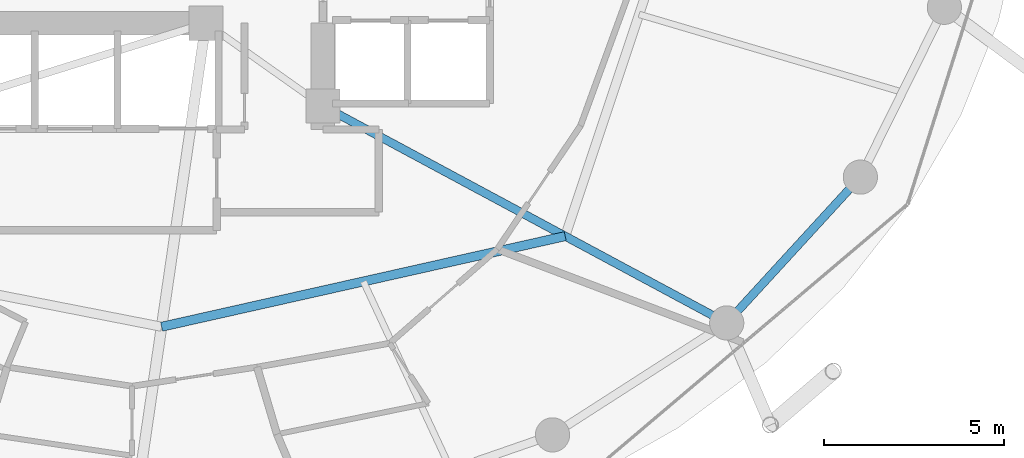
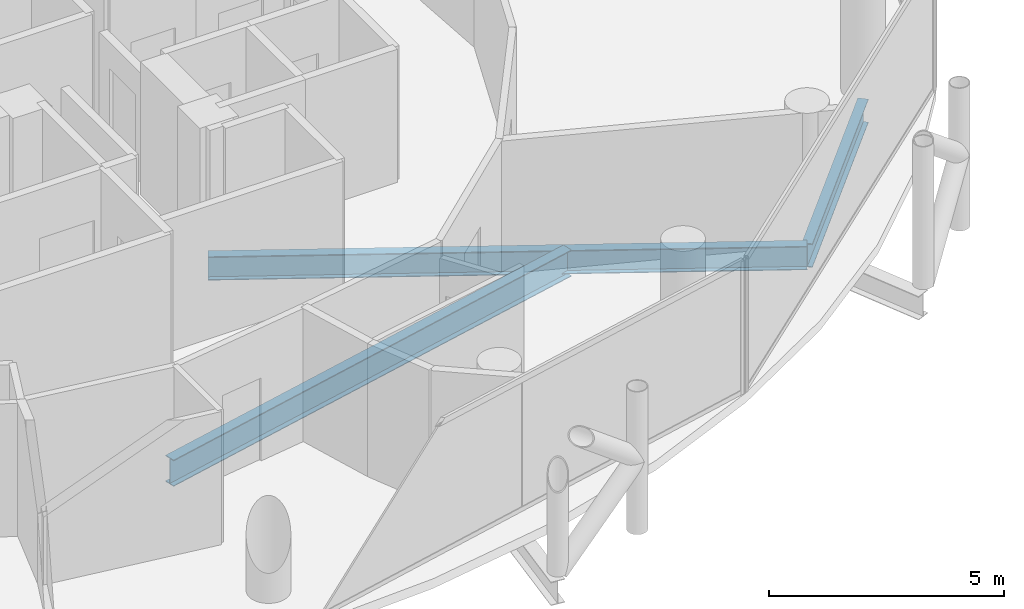
# One storey, part 9 of 26: 3 beams.
"""IFC4 building model written with IfcOpenShell, lengths in metres."""

import ifcopenshell
import ifcopenshell.guid

model = None  # the IFC model being written
_history = None  # IfcOwnerHistory: only IFC2X3 demands one
_inside = {}  # id of a spatial element -> (the spatial element, [elements in it])
_under = {}  # id of a project, library or spatial element -> (it, [spatial elements below it])
_declared = {}  # id of a project -> (the project, [libraries it declares])
_typed = {}  # id of a type object -> (the type object, [elements of that type])
_made_of = {}  # id of a material, layer set ... -> (it, [elements and type objects made of it])


def new_model(schema):
    """Start an empty IFC model of exactly this schema.

    Asked for "IFC4X3", IfcOpenShell would pick the latest addendum, in which some entities
    have other attributes; the version numbers below select the first issue.
    IFC2X3 requires an IfcOwnerHistory on every rooted entity: one is made here for all.
    """
    global model, _history
    if schema == "IFC4X3":
        model = ifcopenshell.file(schema_version=(4, 3, 0, 0))
    else:
        model = ifcopenshell.file(schema=schema)
    _inside.clear()
    _under.clear()
    _declared.clear()
    _typed.clear()
    _made_of.clear()
    _history = None
    if model.schema == "IFC2X3":
        org = make("IfcOrganization", Name="unknown")
        user = make(
            "IfcPersonAndOrganization",
            ThePerson=make("IfcPerson", FamilyName="unknown"),
            TheOrganization=org,
        )
        app = make(
            "IfcApplication",
            ApplicationDeveloper=org,
            Version="unknown",
            ApplicationFullName="unknown",
            ApplicationIdentifier="unknown",
        )
        _history = make(
            "IfcOwnerHistory",
            OwningUser=user,
            OwningApplication=app,
            ChangeAction="ADDED",
            CreationDate=0,
        )
    return model


def make(cls, **values):
    """One entity of the class cls with the attributes given. An attribute that is None is left unset."""
    return model.create_entity(
        cls, **{name: value for name, value in values.items() if value is not None}
    )


def rooted(cls, **values):
    """An entity with a GlobalId (a new one), such as an element, a storey or a relation."""
    return make(cls, GlobalId=ifcopenshell.guid.new(), OwnerHistory=_history, **values)


def si_unit(unit_type, name, prefix=None):
    """IfcSIUnit, for example si_unit("LENGTHUNIT", "METRE", prefix="MILLI")."""
    return make("IfcSIUnit", UnitType=unit_type, Prefix=prefix, Name=name)


def assignment(units):
    """IfcUnitAssignment: the units of a project."""
    return None if units is None else make("IfcUnitAssignment", Units=units)


def point(xyz):
    """IfcCartesianPoint."""
    return None if xyz is None else make("IfcCartesianPoint", Coordinates=xyz)


def direction(xyz):
    """IfcDirection."""
    return None if xyz is None else make("IfcDirection", DirectionRatios=xyz)


def frame(location, z_axis=None, x_axis=None):
    """IfcAxis2Placement3D, a coordinate frame: its origin and axes. An axis left out is left unset."""
    return make(
        "IfcAxis2Placement3D",
        Location=point(location),
        Axis=direction(z_axis),
        RefDirection=direction(x_axis),
    )


def frame_2d(location, x_axis=None):
    """IfcAxis2Placement2D, a coordinate frame in the plane: its origin and x axis."""
    return make(
        "IfcAxis2Placement2D", Location=point(location), RefDirection=direction(x_axis)
    )


def origin():
    """The frame at (0, 0, 0) with its axes left unset."""
    return frame((0.0, 0.0, 0.0))


def origin_2d():
    """The frame at (0, 0) in the plane with its x axis left unset."""
    return frame_2d((0.0, 0.0))


def place(relative_to, where):
    """IfcLocalPlacement: puts the frame where relative to a parent placement (None: the world)."""
    return make(
        "IfcLocalPlacement", PlacementRelTo=relative_to, RelativePlacement=where
    )


def context(
    kind, dimensions, precision=None, world=None, true_north=None, identifier=None
):
    """IfcGeometricRepresentationContext, for example the 3D "Model" context."""
    return make(
        "IfcGeometricRepresentationContext",
        ContextIdentifier=identifier,
        ContextType=kind,
        CoordinateSpaceDimension=dimensions,
        Precision=precision,
        WorldCoordinateSystem=world,
        TrueNorth=true_north,
    )


def subcontext(parent, identifier, kind, view, scale=None):
    """IfcGeometricRepresentationSubContext, for example "Body" below "Model"."""
    return make(
        "IfcGeometricRepresentationSubContext",
        ContextIdentifier=identifier,
        ContextType=kind,
        ParentContext=parent,
        TargetScale=scale,
        TargetView=view,
    )


def project(units=None, contexts=None):
    """IfcProject with its units and contexts."""
    return rooted(
        "IfcProject",
        Name="project",
        RepresentationContexts=contexts,
        UnitsInContext=assignment(units),
    )


def spatial(cls, under=None, at=None, **own):
    """A site, building, storey or space (cls), placed at a placement, below another one or the project."""
    s = rooted(cls, ObjectPlacement=at, **own)
    if under is not None:
        _under.setdefault(under.id(), (under, []))[1].append(s)
    return s


def profile(cls, at=None, kind="AREA", **sizes):
    """A parametric profile (cls). Its sizes go by their IFC names, for example OverallWidth=200.0."""
    return make(cls, ProfileType=kind, Position=at, **sizes)


def i_section(**sizes):
    """IfcIShapeProfileDef."""
    return profile("IfcIShapeProfileDef", **sizes)


def extrude(swept, where, along, depth):
    """IfcExtrudedAreaSolid: the profile swept, set in the frame where, extruded along a direction by depth."""
    return make(
        "IfcExtrudedAreaSolid",
        SweptArea=swept,
        Position=where,
        ExtrudedDirection=direction(along),
        Depth=depth,
    )


def shape(context_of_items, identifier, shape_type, items):
    """IfcShapeRepresentation: the items that make up one representation, for example the "Body"."""
    return make(
        "IfcShapeRepresentation",
        ContextOfItems=context_of_items,
        RepresentationIdentifier=identifier,
        RepresentationType=shape_type,
        Items=items,
    )


def material(Name=None, Category=None):
    """IfcMaterial."""
    return make("IfcMaterial", Name=Name, Category=Category)


def material_profile(
    of_material, cross_section, Name=None, Category=None, Priority=None
):
    """IfcMaterialProfile: a cross section and its material."""
    return make(
        "IfcMaterialProfile",
        Name=Name,
        Material=of_material,
        Profile=cross_section,
        Priority=Priority,
        Category=Category,
    )


def profile_set(profiles, Name=None, composite=None):
    """IfcMaterialProfileSet."""
    return make(
        "IfcMaterialProfileSet",
        Name=Name,
        MaterialProfiles=profiles,
        CompositeProfile=composite,
    )


def made_of(thing, what):
    """Note that an element or type object is made of a material, layer set ...; save() writes the relation."""
    if what is not None:
        _made_of.setdefault(what.id(), (what, []))[1].append(thing)
    return thing


def type_object(cls, material=None, **own):
    """A type object (cls), such as IfcWallType, which elements share."""
    return made_of(rooted(cls, **own), material)


def element(
    cls,
    number,
    at=None,
    inside=None,
    cuts=None,
    type_object=None,
    material=None,
    context=None,
    identifier="Body",
    shape_type=None,
    held_by="IfcProductDefinitionShape",
    body=None,
    shapes=None,
    **own,
):
    """One element of the class cls, such as IfcWall. Its Tag is "e" and its number.

    at: its placement. inside: the storey or other place that contains it. cuts: it is an
    opening in that element (IfcRelVoidsElement). A single representation is given by context,
    identifier, shape_type and body (its items); several are given by shapes. held_by: the class
    of the entity that holds the representations. save() writes the other relations.
    """
    e = rooted(cls, Tag="e%d" % number, ObjectPlacement=at, **own)
    if body is not None:
        shapes = [shape(context, identifier, shape_type, body)]
    if shapes is not None:
        e.Representation = make(held_by, Representations=shapes)
    if inside is not None:
        _inside.setdefault(inside.id(), (inside, []))[1].append(e)
    if cuts is not None:
        rooted(
            "IfcRelVoidsElement", RelatingBuildingElement=cuts, RelatedOpeningElement=e
        )
    if type_object is not None:
        _typed.setdefault(type_object.id(), (type_object, []))[1].append(e)
    return made_of(e, material)


def aggregate(whole, parts):
    """IfcRelAggregates: a whole, such as a stair, and the parts it consists of."""
    return rooted("IfcRelAggregates", RelatingObject=whole, RelatedObjects=parts)


def save(model, path):
    """Write the relations noted so far, then the file.

    IfcRelAggregates (storeys below a building ...), IfcRelContainedInSpatialStructure (elements
    in a storey), IfcRelDefinesByType, IfcRelAssociatesMaterial and IfcRelDeclares: one each for
    every whole, place, type object, material and project.
    """
    for whole, parts in _under.values():
        aggregate(whole, parts)
    for where, things in _inside.values():
        rooted(
            "IfcRelContainedInSpatialStructure",
            RelatedElements=things,
            RelatingStructure=where,
        )
    for kind, things in _typed.values():
        rooted("IfcRelDefinesByType", RelatedObjects=things, RelatingType=kind)
    for what, things in _made_of.values():
        rooted("IfcRelAssociatesMaterial", RelatedObjects=things, RelatingMaterial=what)
    for by, libraries in _declared.values():
        rooted("IfcRelDeclares", RelatingContext=by, RelatedDefinitions=libraries)
    model.write(path)


model = new_model("IFC4")

# Units and contexts
model_context = context("Model", 3, precision=1e-05, world=origin(), true_north=direction((0.0, 1.0)))
body_context = subcontext(model_context, "Body", "Model", "MODEL_VIEW")
ifc_project = project(units=[si_unit("LENGTHUNIT", "METRE"), si_unit("AREAUNIT", "SQUARE_METRE"), si_unit("VOLUMEUNIT", "CUBIC_METRE"), si_unit("PLANEANGLEUNIT", "RADIAN"), si_unit("MASSUNIT", "GRAM", prefix="KILO")], contexts=[model_context])

# Site, building, storey
site_placement = place(None, origin())
site = spatial("IfcSite", under=ifc_project, at=site_placement, CompositionType="ELEMENT")
building_placement = place(site_placement, origin())
building = spatial("IfcBuilding", under=site, at=building_placement, Name="Nuhasar Tower", CompositionType="ELEMENT")
storey_placement = place(building_placement, frame((0.0, 0.0, 147.85009765625)))
storey = spatial("IfcBuildingStorey", under=building, at=storey_placement, Name="L35", CompositionType="ELEMENT", Elevation=147.85009765625)

# Beams
ifc_material = material(Name="Steel S355", Category="steel")
ifc_material_profile_1 = material_profile(ifc_material, i_section(OverallWidth=0.25390625, OverallDepth=0.68408203125, WebThickness=0.012451171875, FlangeThickness=0.018798828125, at=origin_2d()), Name="W27X94")
ifc_profile_set_1 = profile_set([ifc_material_profile_1], Name="Steel S355")
beam_type_1 = type_object("IfcBeamType", Name="BM-INRING-W27X94", PredefinedType="BEAM", material=ifc_profile_set_1)
beam_1_placement = place(storey_placement, frame((39.820068359375, 12.8701171875, -0.592041015625), z_axis=(0.975716159385, 0.219038755282, 0.0), x_axis=(-0.219038755282, 0.975716159385, 0.0)))
element("IfcBeam", 1, at=beam_1_placement, inside=storey, type_object=beam_type_1, Name="L35 Inner Header Beam 02", PredefinedType="BEAM", context=body_context, shape_type="SweptSolid", body=[
    extrude(i_section(OverallWidth=0.25390625, OverallDepth=0.68408203125, WebThickness=0.012451171875, FlangeThickness=0.018798828125, at=origin_2d()), origin(), (0.0, 0.0, 1.0), 11.48583984375),
])
ifc_material_profile_2 = material_profile(ifc_material, i_section(OverallWidth=0.22900390625, OverallDepth=0.612060546875, WebThickness=0.011962890625, FlangeThickness=0.01953125, at=origin_2d()), Name="W24X84")
ifc_profile_set_2 = profile_set([ifc_material_profile_2], Name="Steel S355")
beam_type_2 = type_object("IfcBeamType", Name="BM-RAD-W24X84", PredefinedType="BEAM", material=ifc_profile_set_2)
beam_2_placement = place(storey_placement, frame((44.300048828125, 19.0, -0.55615234375), z_axis=(0.880888386928, -0.473324043098, 0.0), x_axis=(0.473324043098, 0.880888386928, 0.0)))
element("IfcBeam", 2, at=beam_2_placement, inside=storey, type_object=beam_type_2, Name="L35 Radial Floor Girder 03", PredefinedType="BEAM", context=body_context, shape_type="SweptSolid", body=[
    extrude(i_section(OverallWidth=0.22900390625, OverallDepth=0.612060546875, WebThickness=0.011962890625, FlangeThickness=0.01953125, at=origin_2d()), origin(), (0.0, 0.0, 1.0), 12.726806640625),
])
ifc_material_profile_3 = material_profile(ifc_material, i_section(OverallWidth=0.22998046875, OverallDepth=0.616943359375, WebThickness=0.01318359375, FlangeThickness=0.022216796875, at=origin_2d()), Name="W24X94")
ifc_profile_set_3 = profile_set([ifc_material_profile_3], Name="Steel S355")
beam_type_3 = type_object("IfcBeamType", Name="BM-RING-W24X94", PredefinedType="SPANDREL", material=ifc_profile_set_3)
beam_3_placement = place(storey_placement, frame((55.510986328125, 12.97607421875, -0.55908203125), z_axis=(0.675676316545, 0.737198423262, 0.0), x_axis=(-0.737198423262, 0.675676316545, 0.0)))
element("IfcBeam", 3, at=beam_3_placement, inside=storey, type_object=beam_type_3, Name="L35 Perimeter Ring Spandrel 22", PredefinedType="SPANDREL", context=body_context, shape_type="SweptSolid", body=[
    extrude(i_section(OverallWidth=0.22998046875, OverallDepth=0.616943359375, WebThickness=0.01318359375, FlangeThickness=0.022216796875, at=origin_2d()), origin(), (0.0, 0.0, 1.0), 5.4921875),
])

save(model, "model.ifc")
